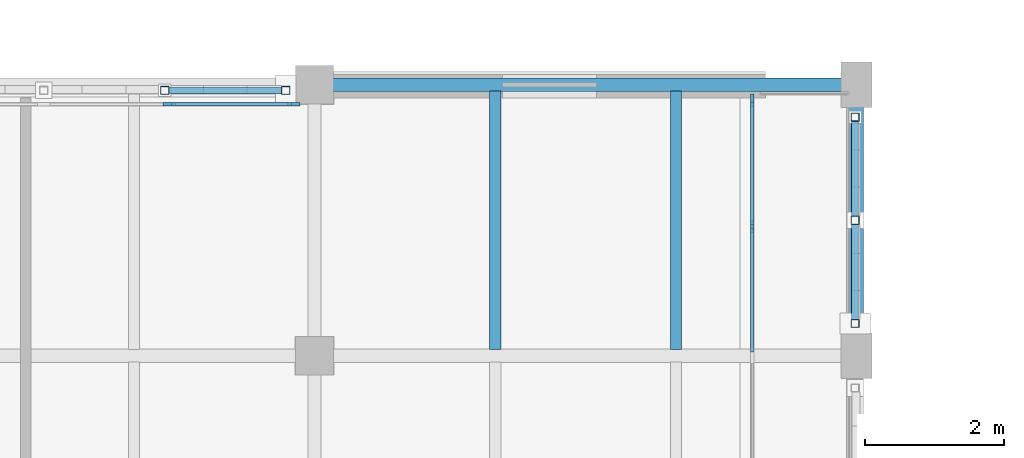
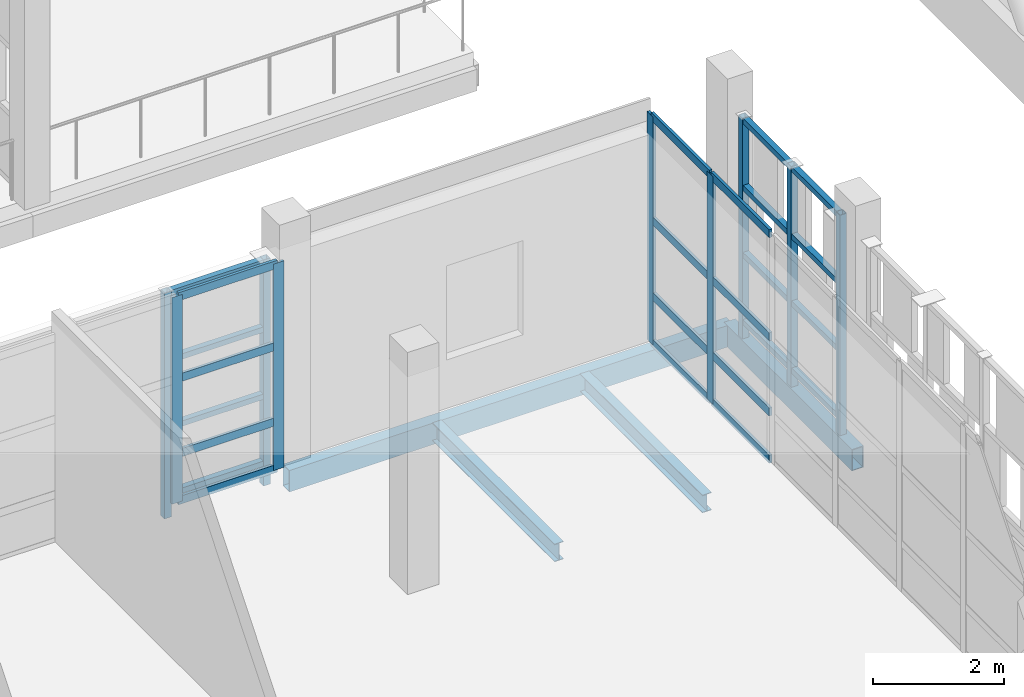
# One storey, part 24 of 119: 33 members, 4 beams, 2 elements without a shape of their own.
"""IFC4 building model written with IfcOpenShell, lengths in metres."""

from ifc_helpers import new_model, si_unit, direction, frame, origin, origin_2d, place, context, subcontext, project, spatial, rectangle, hollow_rectangle, i_section, extrude, material, layer, layer_set, material_profile, profile_set, type_object, element, aggregate, save


model = new_model("IFC4")

# Units and contexts
model_context = context("Model", 3, precision=1e-05, world=origin(), true_north=direction((0.0, 1.0)))
body_context = subcontext(model_context, "Body", "Model", "MODEL_VIEW")
ifc_project = project(units=[si_unit("LENGTHUNIT", "METRE"), si_unit("AREAUNIT", "SQUARE_METRE"), si_unit("VOLUMEUNIT", "CUBIC_METRE"), si_unit("PLANEANGLEUNIT", "RADIAN"), si_unit("MASSUNIT", "GRAM", prefix="KILO")], contexts=[model_context])

# Site, building, storey
site_placement = place(None, origin())
site = spatial("IfcSite", under=ifc_project, at=site_placement, CompositionType="ELEMENT")
building_placement = place(site_placement, origin())
building = spatial("IfcBuilding", under=site, at=building_placement, Name="Celorna Specialist Clinic", CompositionType="ELEMENT")
storey_placement = place(building_placement, frame((0.0, 0.0, 9.60009765625)))
storey = spatial("IfcBuildingStorey", under=building, at=storey_placement, Name="L02", CompositionType="ELEMENT", Elevation=9.60009765625)

# Beams
ifc_material_1 = material(Name="Steel S355", Category="steel")
ifc_material_profile_1 = material_profile(ifc_material_1, i_section(OverallWidth=0.159912109375, OverallDepth=0.330078125, WebThickness=0.007568359375, FlangeThickness=0.011474609375, at=origin_2d()), Name="IPE 330")
ifc_profile_set_1 = profile_set([ifc_material_profile_1], Name="Steel S355")
beam_type_1 = type_object("IfcBeamType", Name="BM-12", PredefinedType="JOIST", material=ifc_profile_set_1)
for number, where, z_axis, x_axis, name in (
    (1, (41.60009765625, 23.488037109375, -0.425048828125), (0.0, 1.0, 0.0), (-1.0, 0.0, 0.0), "Secondary floor joist BM-12 #1823"),
    (2, (44.199951171875, 23.488037109375, -0.425048828125), (0.0, 1.0, 0.0), (-1.0, 0.0, 0.0), "Secondary floor joist BM-12 #1824"),
):
    element("IfcBeam", number, at=place(storey_placement, frame(where, z_axis=z_axis, x_axis=x_axis)), inside=storey, type_object=beam_type_1, Name=name, PredefinedType="JOIST", context=body_context, shape_type="SweptSolid", body=[
        extrude(i_section(OverallWidth=0.159912109375, OverallDepth=0.330078125, WebThickness=0.007568359375, FlangeThickness=0.011474609375, at=origin_2d()), origin(), (0.0, 0.0, 1.0), 3.723876953125),
    ])
ifc_material_profile_2 = material_profile(ifc_material_1, hollow_rectangle(XDim=0.199951171875, YDim=0.39990234375, WallThickness=0.011962890625, at=origin_2d()), Name="RHS 200x400x12")
ifc_profile_set_2 = profile_set([ifc_material_profile_2], Name="Steel S355")
beam_type_2 = type_object("IfcBeamType", Name="BM-15", PredefinedType="SPANDREL", material=ifc_profile_set_2)
beam_1_placement = place(storey_placement, frame((39.0, 27.300048828125, -0.460205078125), z_axis=(1.0, 0.0, 0.0), x_axis=(0.0, 1.0, 0.0)))
element("IfcBeam", 3, at=beam_1_placement, inside=storey, type_object=beam_type_2, Name="Spandrel beam BM-15 #1738", PredefinedType="SPANDREL", context=body_context, shape_type="SweptSolid", body=[
    extrude(hollow_rectangle(XDim=0.199951171875, YDim=0.39990234375, WallThickness=0.011962890625, at=origin_2d()), origin(), (0.0, 0.0, 1.0), 7.800048828125),
])
beam_2_placement = place(storey_placement, frame((46.800048828125, 23.39990234375, -0.460205078125), z_axis=(0.0, 1.0, 0.0), x_axis=(-1.0, 0.0, 0.0)))
element("IfcBeam", 4, at=beam_2_placement, inside=storey, type_object=beam_type_2, Name="Spandrel beam BM-15 #1773", PredefinedType="SPANDREL", context=body_context, shape_type="SweptSolid", body=[
    extrude(hollow_rectangle(XDim=0.199951171875, YDim=0.39990234375, WallThickness=0.011962890625, at=origin_2d()), origin(), (0.0, 0.0, 1.0), 3.900146484375),
])

# Members
ifc_material_profile_3 = material_profile(ifc_material_1, hollow_rectangle(XDim=0.1201171875, YDim=0.1201171875, WallThickness=0.008056640625, at=origin_2d()), Name="SHS 120x120x8")
ifc_profile_set_3 = profile_set([ifc_material_profile_3], Name="Steel S355")
member_type_1 = type_object("IfcMemberType", Name="MB-11", PredefinedType="STUD", material=ifc_profile_set_3)
for number, where, z_axis, x_axis, name in (
    (5, (46.780029296875, 23.864990234375, -0.360107421875), (0.0, 0.0, 1.0), (1.0, 0.0, 0.0), "Perforated screen steel post #1720"),
    (6, (46.780029296875, 25.35009765625, -0.360107421875), (0.0, 0.0, 1.0), (1.0, 0.0, 0.0), "Perforated screen steel post #1721"),
    (7, (46.780029296875, 26.8349609375, -0.360107421875), (0.0, 0.0, 1.0), (1.0, 0.0, 0.0), "Perforated screen steel post #1722"),
    (8, (36.842529296875, 27.219970703125, -0.360107421875), (0.0, 0.0, 1.0), (1.0, 0.0, 0.0), "Perforated screen steel post #1797"),
    (9, (38.5849609375, 27.219970703125, -0.360107421875), (0.0, 0.0, 1.0), (1.0, 0.0, 0.0), "Perforated screen steel post #1798"),
):
    element("IfcMember", number, at=place(storey_placement, frame(where, z_axis=z_axis, x_axis=x_axis)), inside=storey, type_object=member_type_1, Name=name, PredefinedType="STUD", context=body_context, shape_type="SweptSolid", body=[
        extrude(hollow_rectangle(XDim=0.1201171875, YDim=0.1201171875, WallThickness=0.008056640625, at=origin_2d()), origin(), (0.0, 0.0, 1.0), 4.199951171875),
    ])
ifc_material_profile_4 = material_profile(ifc_material_1, hollow_rectangle(XDim=0.10009765625, YDim=0.10009765625, WallThickness=0.006103515625, at=origin_2d()), Name="SHS 100x100x6")
ifc_profile_set_4 = profile_set([ifc_material_profile_4], Name="Steel S355")
member_type_2 = type_object("IfcMemberType", Name="MB-12", PredefinedType="STUD", material=ifc_profile_set_4)
for number, where, z_axis, x_axis, name in (
    (10, (46.780029296875, 23.925048828125, 0.0498046875), (0.0, 1.0, 0.0), (-1.0, 0.0, 0.0), "Perforated screen rail #1723"),
    (11, (46.780029296875, 23.925048828125, 1.296630859375), (0.0, 1.0, 0.0), (-1.0, 0.0, 0.0), "Perforated screen rail #1724"),
    (12, (46.780029296875, 23.925048828125, 2.543212890625), (0.0, 1.0, 0.0), (-1.0, 0.0, 0.0), "Perforated screen rail #1725"),
    (13, (46.780029296875, 23.925048828125, 3.789794921875), (0.0, 1.0, 0.0), (-1.0, 0.0, 0.0), "Perforated screen rail #1726"),
    (14, (46.780029296875, 25.409912109375, 0.0498046875), (0.0, 1.0, 0.0), (-1.0, 0.0, 0.0), "Perforated screen rail #1727"),
    (15, (46.780029296875, 25.409912109375, 1.296630859375), (0.0, 1.0, 0.0), (-1.0, 0.0, 0.0), "Perforated screen rail #1728"),
    (16, (46.780029296875, 25.409912109375, 2.543212890625), (0.0, 1.0, 0.0), (-1.0, 0.0, 0.0), "Perforated screen rail #1729"),
    (17, (46.780029296875, 25.409912109375, 3.789794921875), (0.0, 1.0, 0.0), (-1.0, 0.0, 0.0), "Perforated screen rail #1730"),
):
    element("IfcMember", number, at=place(storey_placement, frame(where, z_axis=z_axis, x_axis=x_axis)), inside=storey, type_object=member_type_2, Name=name, PredefinedType="STUD", context=body_context, shape_type="SweptSolid", body=[
        extrude(hollow_rectangle(XDim=0.10009765625, YDim=0.10009765625, WallThickness=0.006103515625, at=origin_2d()), origin(), (0.0, 0.0, 1.0), 1.364990234375),
    ])
for number, where, z_axis, x_axis, name in (
    (18, (36.902587890625, 27.219970703125, 0.0498046875), (1.0, 0.0, 0.0), (0.0, 1.0, 0.0), "Perforated screen rail #1811"),
    (19, (36.902587890625, 27.219970703125, 1.296630859375), (1.0, 0.0, 0.0), (0.0, 1.0, 0.0), "Perforated screen rail #1812"),
    (20, (36.902587890625, 27.219970703125, 2.543212890625), (1.0, 0.0, 0.0), (0.0, 1.0, 0.0), "Perforated screen rail #1813"),
    (21, (36.902587890625, 27.219970703125, 3.789794921875), (1.0, 0.0, 0.0), (0.0, 1.0, 0.0), "Perforated screen rail #1814"),
):
    element("IfcMember", number, at=place(storey_placement, frame(where, z_axis=z_axis, x_axis=x_axis)), inside=storey, type_object=member_type_2, Name=name, PredefinedType="STUD", context=body_context, shape_type="SweptSolid", body=[
        extrude(hollow_rectangle(XDim=0.10009765625, YDim=0.10009765625, WallThickness=0.006103515625, at=origin_2d()), origin(), (0.0, 0.0, 1.0), 1.622314453125),
    ])

# Curtain wall, members
ifc_material_2 = material(Name="Thermally broken aluminium and solar-control glass curtain wall", Category="aluminium")
ifc_layer_1 = layer(ifc_material_2, 0.159912109375, Name="Thermally broken aluminium and solar-control glass curtain wall")
ifc_layer_set_1 = layer_set([ifc_layer_1], Name="Thermally broken aluminium and solar-control glass curtain wall")
curtain_wall_type_1 = type_object("IfcCurtainWallType", Name="CW-88", PredefinedType="NOTDEFINED", material=ifc_layer_set_1)
curtain_wall_1_placement = place(storey_placement, origin())
curtain_wall_1 = element("IfcCurtainWall", 22, at=curtain_wall_1_placement, inside=storey, type_object=curtain_wall_type_1, Name="Curtain wall CW-88 #165", PredefinedType="NOTDEFINED")
ifc_material_3 = material(Name="Anodized aluminium mullion", Category="aluminium")
ifc_material_profile_5 = material_profile(ifc_material_3, rectangle(XDim=0.050048828125, YDim=0.179931640625, at=origin_2d()), Name="ALU MULLION 50x180")
ifc_profile_set_5 = profile_set([ifc_material_profile_5], Name="Anodized aluminium mullion")
member_type_3 = type_object("IfcMemberType", Name="ML-02", PredefinedType="MULLION", material=ifc_profile_set_5)
member_1_placement = place(storey_placement, frame((36.910400390625, 27.02001953125, 0.0), z_axis=(0.0, 0.0, 1.0), x_axis=(0.0, 1.0, 0.0)))
member_1 = element("IfcMember", 23, at=member_1_placement, type_object=member_type_3, Name="CW-88 mullion 4", PredefinedType="MULLION", context=body_context, shape_type="SweptSolid", body=[
    extrude(rectangle(XDim=0.050048828125, YDim=0.179931640625, at=origin_2d()), origin(), (0.0, 0.0, 1.0), 3.83984375),
])
member_2_placement = place(storey_placement, frame((38.696044921875, 27.02001953125, 0.0), z_axis=(0.0, 0.0, 1.0), x_axis=(0.0, 1.0, 0.0)))
member_2 = element("IfcMember", 24, at=member_2_placement, type_object=member_type_3, Name="CW-88 mullion 5", PredefinedType="MULLION", context=body_context, shape_type="SweptSolid", body=[
    extrude(rectangle(XDim=0.050048828125, YDim=0.179931640625, at=origin_2d()), origin(), (0.0, 0.0, 1.0), 3.83984375),
])

ifc_layer_2 = layer(ifc_material_2, 0.159912109375, Name="Thermally broken aluminium and solar-control glass curtain wall")
ifc_layer_set_2 = layer_set([ifc_layer_2], Name="Thermally broken aluminium and solar-control glass curtain wall")
curtain_wall_type_2 = type_object("IfcCurtainWallType", Name="CW-93", PredefinedType="NOTDEFINED", material=ifc_layer_set_2)
curtain_wall_2_placement = place(storey_placement, origin())
curtain_wall_2 = element("IfcCurtainWall", 25, at=curtain_wall_2_placement, inside=storey, type_object=curtain_wall_type_2, Name="Curtain wall CW-93 #169", PredefinedType="NOTDEFINED")
member_3_placement = place(storey_placement, frame((45.300048828125, 27.0810546875, 0.0), z_axis=(0.0, 0.0, 1.0), x_axis=(1.0, 0.0, 0.0)))
member_3 = element("IfcMember", 26, at=member_3_placement, type_object=member_type_3, Name="CW-93 mullion 1", PredefinedType="MULLION", context=body_context, shape_type="SweptSolid", body=[
    extrude(rectangle(XDim=0.050048828125, YDim=0.179931640625, at=origin_2d()), origin(), (0.0, 0.0, 1.0), 4.239990234375),
])
member_4_placement = place(storey_placement, frame((45.300048828125, 25.2548828125, 0.0), z_axis=(0.0, 0.0, 1.0), x_axis=(1.0, 0.0, 0.0)))
member_4 = element("IfcMember", 27, at=member_4_placement, type_object=member_type_3, Name="CW-93 mullion 2", PredefinedType="MULLION", context=body_context, shape_type="SweptSolid", body=[
    extrude(rectangle(XDim=0.050048828125, YDim=0.179931640625, at=origin_2d()), origin(), (0.0, 0.0, 1.0), 4.239990234375),
])

# Member
ifc_material_4 = material(Name="Anodized aluminium transom", Category="aluminium")
ifc_material_profile_6 = material_profile(ifc_material_4, rectangle(XDim=0.050048828125, YDim=0.14990234375, at=origin_2d()), Name="ALU TRANSOM 50x150")
ifc_profile_set_6 = profile_set([ifc_material_profile_6], Name="Anodized aluminium transom")
member_type_4 = type_object("IfcMemberType", Name="TR-02", PredefinedType="USERDEFINED", material=ifc_profile_set_6)
member_5_placement = place(storey_placement, frame((36.935546875, 27.02001953125, 0.02490234375), z_axis=(1.0, 0.0, 0.0), x_axis=(0.0, 1.0, 0.0)))
member_5 = element("IfcMember", 28, at=member_5_placement, type_object=member_type_4, Name="CW-88 transom 4.1", ObjectType="TRANSOM", PredefinedType="USERDEFINED", context=body_context, shape_type="SweptSolid", body=[
    extrude(rectangle(XDim=0.050048828125, YDim=0.14990234375, at=origin_2d()), origin(), (0.0, 0.0, 1.0), 1.7353515625),
])

member_6_placement = place(storey_placement, frame((36.935546875, 27.02001953125, 0.89990234375), z_axis=(1.0, 0.0, 0.0), x_axis=(0.0, 1.0, 0.0)))
member_6 = element("IfcMember", 29, at=member_6_placement, type_object=member_type_4, Name="CW-88 transom 4.2", ObjectType="TRANSOM", PredefinedType="USERDEFINED", context=body_context, shape_type="SweptSolid", body=[
    extrude(rectangle(XDim=0.050048828125, YDim=0.14990234375, at=origin_2d()), origin(), (0.0, 0.0, 1.0), 1.7353515625),
])

member_7_placement = place(storey_placement, frame((36.935546875, 27.02001953125, 2.2998046875), z_axis=(1.0, 0.0, 0.0), x_axis=(0.0, 1.0, 0.0)))
member_7 = element("IfcMember", 30, at=member_7_placement, type_object=member_type_4, Name="CW-88 transom 4.3", ObjectType="TRANSOM", PredefinedType="USERDEFINED", context=body_context, shape_type="SweptSolid", body=[
    extrude(rectangle(XDim=0.050048828125, YDim=0.14990234375, at=origin_2d()), origin(), (0.0, 0.0, 1.0), 1.7353515625),
])

member_8_placement = place(storey_placement, frame((36.935546875, 27.02001953125, 3.81494140625), z_axis=(1.0, 0.0, 0.0), x_axis=(0.0, 1.0, 0.0)))
member_8 = element("IfcMember", 31, at=member_8_placement, type_object=member_type_4, Name="CW-88 transom 4.4", ObjectType="TRANSOM", PredefinedType="USERDEFINED", context=body_context, shape_type="SweptSolid", body=[
    extrude(rectangle(XDim=0.050048828125, YDim=0.14990234375, at=origin_2d()), origin(), (0.0, 0.0, 1.0), 1.7353515625),
])

aggregate(curtain_wall_1, [member_1, member_2, member_5, member_6, member_7, member_8])

member_9_placement = place(storey_placement, frame((45.300048828125, 27.055908203125, 0.02490234375), z_axis=(0.0, -1.0, 0.0), x_axis=(1.0, 0.0, 0.0)))
member_9 = element("IfcMember", 32, at=member_9_placement, type_object=member_type_4, Name="CW-93 transom 1.1", ObjectType="TRANSOM", PredefinedType="USERDEFINED", context=body_context, shape_type="SweptSolid", body=[
    extrude(rectangle(XDim=0.050048828125, YDim=0.14990234375, at=origin_2d()), origin(), (0.0, 0.0, 1.0), 1.77587890625),
])

member_10_placement = place(storey_placement, frame((45.300048828125, 27.055908203125, 0.89990234375), z_axis=(0.0, -1.0, 0.0), x_axis=(1.0, 0.0, 0.0)))
member_10 = element("IfcMember", 33, at=member_10_placement, type_object=member_type_4, Name="CW-93 transom 1.2", ObjectType="TRANSOM", PredefinedType="USERDEFINED", context=body_context, shape_type="SweptSolid", body=[
    extrude(rectangle(XDim=0.050048828125, YDim=0.14990234375, at=origin_2d()), origin(), (0.0, 0.0, 1.0), 1.77587890625),
])

member_11_placement = place(storey_placement, frame((45.300048828125, 27.055908203125, 2.2998046875), z_axis=(0.0, -1.0, 0.0), x_axis=(1.0, 0.0, 0.0)))
member_11 = element("IfcMember", 34, at=member_11_placement, type_object=member_type_4, Name="CW-93 transom 1.3", ObjectType="TRANSOM", PredefinedType="USERDEFINED", context=body_context, shape_type="SweptSolid", body=[
    extrude(rectangle(XDim=0.050048828125, YDim=0.14990234375, at=origin_2d()), origin(), (0.0, 0.0, 1.0), 1.77587890625),
])

member_12_placement = place(storey_placement, frame((45.300048828125, 27.055908203125, 4.21484375), z_axis=(0.0, -1.0, 0.0), x_axis=(1.0, 0.0, 0.0)))
member_12 = element("IfcMember", 35, at=member_12_placement, type_object=member_type_4, Name="CW-93 transom 1.4", ObjectType="TRANSOM", PredefinedType="USERDEFINED", context=body_context, shape_type="SweptSolid", body=[
    extrude(rectangle(XDim=0.050048828125, YDim=0.14990234375, at=origin_2d()), origin(), (0.0, 0.0, 1.0), 1.77587890625),
])

member_13_placement = place(storey_placement, frame((45.300048828125, 25.22998046875, 0.02490234375), z_axis=(0.0, -1.0, 0.0), x_axis=(1.0, 0.0, 0.0)))
member_13 = element("IfcMember", 36, at=member_13_placement, type_object=member_type_4, Name="CW-93 transom 2.1", ObjectType="TRANSOM", PredefinedType="USERDEFINED", context=body_context, shape_type="SweptSolid", body=[
    extrude(rectangle(XDim=0.050048828125, YDim=0.14990234375, at=origin_2d()), origin(), (0.0, 0.0, 1.0), 1.77587890625),
])

member_14_placement = place(storey_placement, frame((45.300048828125, 25.22998046875, 0.89990234375), z_axis=(0.0, -1.0, 0.0), x_axis=(1.0, 0.0, 0.0)))
member_14 = element("IfcMember", 37, at=member_14_placement, type_object=member_type_4, Name="CW-93 transom 2.2", ObjectType="TRANSOM", PredefinedType="USERDEFINED", context=body_context, shape_type="SweptSolid", body=[
    extrude(rectangle(XDim=0.050048828125, YDim=0.14990234375, at=origin_2d()), origin(), (0.0, 0.0, 1.0), 1.77587890625),
])

member_15_placement = place(storey_placement, frame((45.300048828125, 25.22998046875, 2.2998046875), z_axis=(0.0, -1.0, 0.0), x_axis=(1.0, 0.0, 0.0)))
member_15 = element("IfcMember", 38, at=member_15_placement, type_object=member_type_4, Name="CW-93 transom 2.3", ObjectType="TRANSOM", PredefinedType="USERDEFINED", context=body_context, shape_type="SweptSolid", body=[
    extrude(rectangle(XDim=0.050048828125, YDim=0.14990234375, at=origin_2d()), origin(), (0.0, 0.0, 1.0), 1.77587890625),
])

member_16_placement = place(storey_placement, frame((45.300048828125, 25.22998046875, 4.21484375), z_axis=(0.0, -1.0, 0.0), x_axis=(1.0, 0.0, 0.0)))
member_16 = element("IfcMember", 39, at=member_16_placement, type_object=member_type_4, Name="CW-93 transom 2.4", ObjectType="TRANSOM", PredefinedType="USERDEFINED", context=body_context, shape_type="SweptSolid", body=[
    extrude(rectangle(XDim=0.050048828125, YDim=0.14990234375, at=origin_2d()), origin(), (0.0, 0.0, 1.0), 1.77587890625),
])

aggregate(curtain_wall_2, [member_3, member_4, member_9, member_10, member_11, member_12, member_13, member_14, member_15, member_16])

save(model, "model.ifc")
